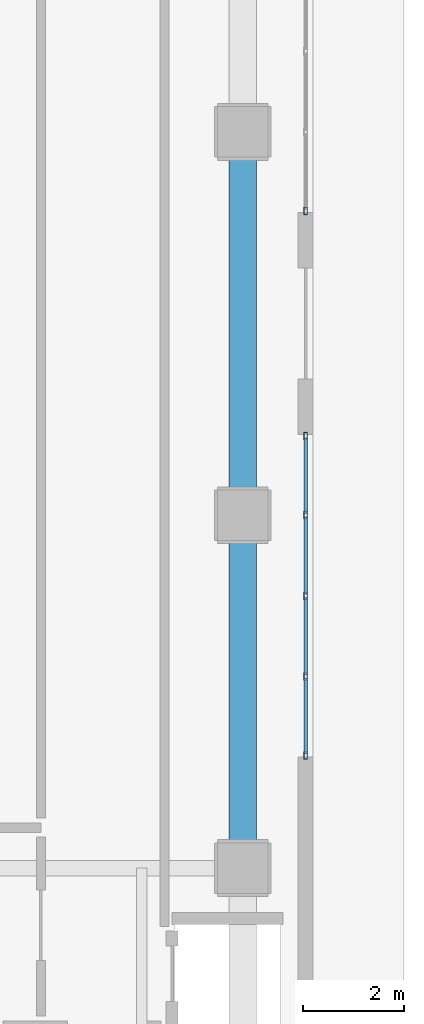
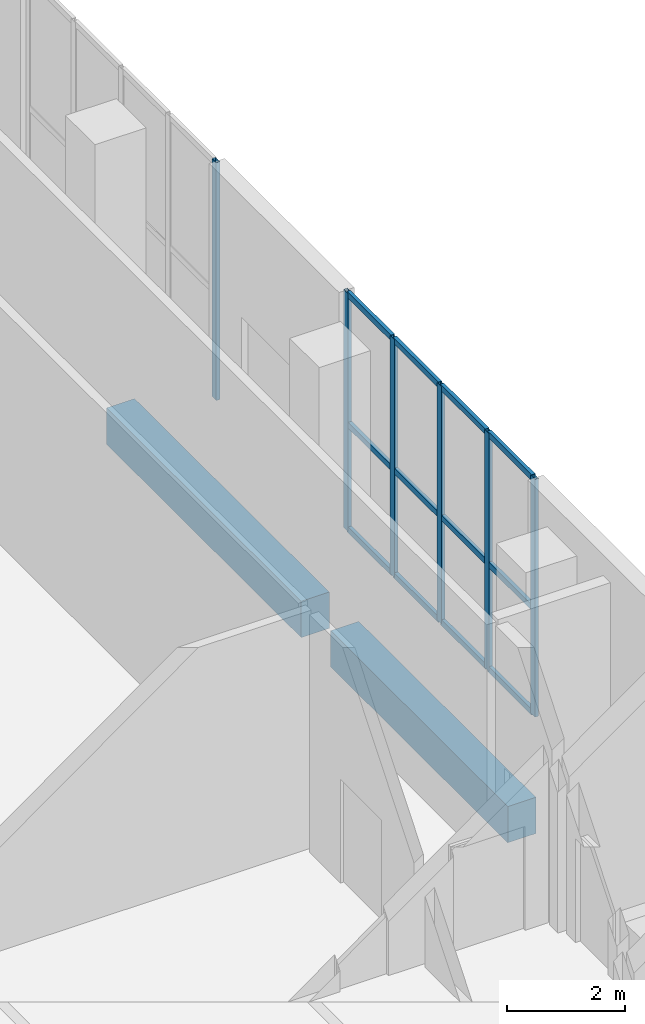
# One storey, part 14 of 30: 18 members, 2 beams, 2 elements without a shape of their own.
"""IFC4 building model written with IfcOpenShell, lengths in metres."""

from ifc_helpers import new_model, si_unit, direction, frame, origin, origin_2d, place, context, subcontext, project, spatial, rectangle, hollow_rectangle, extrude, material, layer, layer_set, material_profile, profile_set, type_object, element, aggregate, save


model = new_model("IFC4")

# Units and contexts
model_context = context("Model", 3, precision=1e-05, world=origin(), true_north=direction((0.0, 1.0)))
body_context = subcontext(model_context, "Body", "Model", "MODEL_VIEW")
ifc_project = project(units=[si_unit("LENGTHUNIT", "METRE"), si_unit("AREAUNIT", "SQUARE_METRE"), si_unit("VOLUMEUNIT", "CUBIC_METRE"), si_unit("PLANEANGLEUNIT", "RADIAN"), si_unit("MASSUNIT", "GRAM", prefix="KILO")], contexts=[model_context])

# Site, building, storey
site_placement = place(None, origin())
site = spatial("IfcSite", under=ifc_project, at=site_placement, CompositionType="ELEMENT")
building_placement = place(site_placement, origin())
building = spatial("IfcBuilding", under=site, at=building_placement, Name="Solanera Arch Residences", CompositionType="ELEMENT")
storey_placement = place(building_placement, origin())
storey = spatial("IfcBuildingStorey", under=building, at=storey_placement, Name="L00", CompositionType="ELEMENT", Elevation=0.0)

# Curtain wall, member
ifc_material_1 = material(Name="Anodised Aluminium Alloy 6063-T6", Category="aluminium")
ifc_layer = layer(ifc_material_1, 0.14990234375)
ifc_layer_set = layer_set([ifc_layer], Name="Anodised Aluminium Alloy 6063-T6")
curtain_wall_type = type_object("IfcCurtainWallType", Name="CW-2 Paseo Shopfront Glazing", PredefinedType="USERDEFINED", material=ifc_layer_set)
curtain_wall_1_placement = place(storey_placement, origin())
curtain_wall_1 = element("IfcCurtainWall", 1, at=curtain_wall_1_placement, inside=storey, type_object=curtain_wall_type, Name="L00 Sports Hall East Promenade Glazing 1", ObjectType="CURTAIN_WALL", PredefinedType="USERDEFINED")
ifc_material_2 = material(Name="Anodised Aluminium Alloy 6063-T6", Category="aluminium")
ifc_material_profile_1 = material_profile(ifc_material_2, hollow_rectangle(XDim=0.070068359375, YDim=0.14990234375, WallThickness=0.00390625, at=origin_2d()))
ifc_profile_set_1 = profile_set([ifc_material_profile_1], Name="Anodised Aluminium Alloy 6063-T6")
member_type_1 = type_object("IfcMemberType", Name="Curtain Wall Mullion ALU-MUL-70X150", PredefinedType="MULLION", material=ifc_profile_set_1)
member_1_placement = place(storey_placement, frame((83.050048828125, 32.8349609375, 0.0), z_axis=(0.0, 0.0, 1.0), x_axis=(1.0, 0.0, 0.0)))
member_1 = element("IfcMember", 2, at=member_1_placement, type_object=member_type_1, Name="CW-2 mullion 5", PredefinedType="MULLION", context=body_context, shape_type="SweptSolid", body=[
    extrude(hollow_rectangle(XDim=0.070068359375, YDim=0.14990234375, WallThickness=0.00390625, at=origin_2d()), origin(), (0.0, 0.0, 1.0), 4.919921875),
])
aggregate(curtain_wall_1, [member_1])

# Curtain wall, members
curtain_wall_2_placement = place(storey_placement, origin())
curtain_wall_2 = element("IfcCurtainWall", 3, at=curtain_wall_2_placement, inside=storey, type_object=curtain_wall_type, Name="L00 Sports Hall East Promenade Glazing 2", ObjectType="CURTAIN_WALL", PredefinedType="USERDEFINED")
member_2_placement = place(storey_placement, frame((83.050048828125, 28.364990234375, 0.0), z_axis=(0.0, 0.0, 1.0), x_axis=(1.0, 0.0, 0.0)))
member_2 = element("IfcMember", 4, at=member_2_placement, type_object=member_type_1, Name="CW-2 mullion 1", PredefinedType="MULLION", context=body_context, shape_type="SweptSolid", body=[
    extrude(hollow_rectangle(XDim=0.070068359375, YDim=0.14990234375, WallThickness=0.00390625, at=origin_2d()), origin(), (0.0, 0.0, 1.0), 4.919921875),
])
member_3_placement = place(storey_placement, frame((83.050048828125, 26.800048828125, 0.0), z_axis=(0.0, 0.0, 1.0), x_axis=(1.0, 0.0, 0.0)))
member_3 = element("IfcMember", 5, at=member_3_placement, type_object=member_type_1, Name="CW-2 mullion 2", PredefinedType="MULLION", context=body_context, shape_type="SweptSolid", body=[
    extrude(hollow_rectangle(XDim=0.070068359375, YDim=0.14990234375, WallThickness=0.00390625, at=origin_2d()), origin(), (0.0, 0.0, 1.0), 4.919921875),
])
member_4_placement = place(storey_placement, frame((83.050048828125, 25.199951171875, 0.0), z_axis=(0.0, 0.0, 1.0), x_axis=(1.0, 0.0, 0.0)))
member_4 = element("IfcMember", 6, at=member_4_placement, type_object=member_type_1, Name="CW-2 mullion 3", PredefinedType="MULLION", context=body_context, shape_type="SweptSolid", body=[
    extrude(hollow_rectangle(XDim=0.070068359375, YDim=0.14990234375, WallThickness=0.00390625, at=origin_2d()), origin(), (0.0, 0.0, 1.0), 4.919921875),
])
member_5_placement = place(storey_placement, frame((83.050048828125, 23.60009765625, 0.0), z_axis=(0.0, 0.0, 1.0), x_axis=(1.0, 0.0, 0.0)))
member_5 = element("IfcMember", 7, at=member_5_placement, type_object=member_type_1, Name="CW-2 mullion 4", PredefinedType="MULLION", context=body_context, shape_type="SweptSolid", body=[
    extrude(hollow_rectangle(XDim=0.070068359375, YDim=0.14990234375, WallThickness=0.00390625, at=origin_2d()), origin(), (0.0, 0.0, 1.0), 4.919921875),
])
member_6_placement = place(storey_placement, frame((83.050048828125, 22.034912109375, 0.0), z_axis=(0.0, 0.0, 1.0), x_axis=(1.0, 0.0, 0.0)))
member_6 = element("IfcMember", 8, at=member_6_placement, type_object=member_type_1, Name="CW-2 mullion 5", PredefinedType="MULLION", context=body_context, shape_type="SweptSolid", body=[
    extrude(hollow_rectangle(XDim=0.070068359375, YDim=0.14990234375, WallThickness=0.00390625, at=origin_2d()), origin(), (0.0, 0.0, 1.0), 4.919921875),
])
ifc_material_3 = material(Name="Anodised Aluminium Alloy 6063-T6", Category="aluminium")
ifc_material_profile_2 = material_profile(ifc_material_3, hollow_rectangle(XDim=0.070068359375, YDim=0.1201171875, WallThickness=0.00390625, at=origin_2d()))
ifc_profile_set_2 = profile_set([ifc_material_profile_2], Name="Anodised Aluminium Alloy 6063-T6")
member_type_2 = type_object("IfcMemberType", Name="Curtain Wall Transom ALU-TRN-70X120", PredefinedType="USERDEFINED", material=ifc_profile_set_2)
member_7_placement = place(storey_placement, frame((83.050048828125, 28.330078125, 0.034912109375), z_axis=(0.0, -1.0, 0.0), x_axis=(1.0, 0.0, 0.0)))
member_7 = element("IfcMember", 9, at=member_7_placement, type_object=member_type_2, Name="CW-2 transom 1.1", ObjectType="TRANSOM", PredefinedType="USERDEFINED", context=body_context, shape_type="SweptSolid", body=[
    extrude(hollow_rectangle(XDim=0.070068359375, YDim=0.1201171875, WallThickness=0.00390625, at=origin_2d()), origin(), (0.0, 0.0, 1.0), 1.4951171875),
])
member_8_placement = place(storey_placement, frame((83.050048828125, 28.330078125, 2.199951171875), z_axis=(0.0, -1.0, 0.0), x_axis=(1.0, 0.0, 0.0)))
member_8 = element("IfcMember", 10, at=member_8_placement, type_object=member_type_2, Name="CW-2 transom 1.2", ObjectType="TRANSOM", PredefinedType="USERDEFINED", context=body_context, shape_type="SweptSolid", body=[
    extrude(hollow_rectangle(XDim=0.070068359375, YDim=0.1201171875, WallThickness=0.00390625, at=origin_2d()), origin(), (0.0, 0.0, 1.0), 1.4951171875),
])
member_9_placement = place(storey_placement, frame((83.050048828125, 28.330078125, 4.885009765625), z_axis=(0.0, -1.0, 0.0), x_axis=(1.0, 0.0, 0.0)))
member_9 = element("IfcMember", 11, at=member_9_placement, type_object=member_type_2, Name="CW-2 transom 1.3", ObjectType="TRANSOM", PredefinedType="USERDEFINED", context=body_context, shape_type="SweptSolid", body=[
    extrude(hollow_rectangle(XDim=0.070068359375, YDim=0.1201171875, WallThickness=0.00390625, at=origin_2d()), origin(), (0.0, 0.0, 1.0), 1.4951171875),
])
member_10_placement = place(storey_placement, frame((83.050048828125, 26.764892578125, 0.034912109375), z_axis=(0.0, -1.0, 0.0), x_axis=(1.0, 0.0, 0.0)))
member_10 = element("IfcMember", 12, at=member_10_placement, type_object=member_type_2, Name="CW-2 transom 2.1", ObjectType="TRANSOM", PredefinedType="USERDEFINED", context=body_context, shape_type="SweptSolid", body=[
    extrude(hollow_rectangle(XDim=0.070068359375, YDim=0.1201171875, WallThickness=0.00390625, at=origin_2d()), origin(), (0.0, 0.0, 1.0), 1.52978515625),
])
member_11_placement = place(storey_placement, frame((83.050048828125, 26.764892578125, 2.199951171875), z_axis=(0.0, -1.0, 0.0), x_axis=(1.0, 0.0, 0.0)))
member_11 = element("IfcMember", 13, at=member_11_placement, type_object=member_type_2, Name="CW-2 transom 2.2", ObjectType="TRANSOM", PredefinedType="USERDEFINED", context=body_context, shape_type="SweptSolid", body=[
    extrude(hollow_rectangle(XDim=0.070068359375, YDim=0.1201171875, WallThickness=0.00390625, at=origin_2d()), origin(), (0.0, 0.0, 1.0), 1.52978515625),
])
member_12_placement = place(storey_placement, frame((83.050048828125, 26.764892578125, 4.885009765625), z_axis=(0.0, -1.0, 0.0), x_axis=(1.0, 0.0, 0.0)))
member_12 = element("IfcMember", 14, at=member_12_placement, type_object=member_type_2, Name="CW-2 transom 2.3", ObjectType="TRANSOM", PredefinedType="USERDEFINED", context=body_context, shape_type="SweptSolid", body=[
    extrude(hollow_rectangle(XDim=0.070068359375, YDim=0.1201171875, WallThickness=0.00390625, at=origin_2d()), origin(), (0.0, 0.0, 1.0), 1.52978515625),
])
member_13_placement = place(storey_placement, frame((83.050048828125, 25.1650390625, 0.034912109375), z_axis=(0.0, -1.0, 0.0), x_axis=(1.0, 0.0, 0.0)))
member_13 = element("IfcMember", 15, at=member_13_placement, type_object=member_type_2, Name="CW-2 transom 3.1", ObjectType="TRANSOM", PredefinedType="USERDEFINED", context=body_context, shape_type="SweptSolid", body=[
    extrude(hollow_rectangle(XDim=0.070068359375, YDim=0.1201171875, WallThickness=0.00390625, at=origin_2d()), origin(), (0.0, 0.0, 1.0), 1.530029296875),
])
member_14_placement = place(storey_placement, frame((83.050048828125, 25.1650390625, 2.199951171875), z_axis=(0.0, -1.0, 0.0), x_axis=(1.0, 0.0, 0.0)))
member_14 = element("IfcMember", 16, at=member_14_placement, type_object=member_type_2, Name="CW-2 transom 3.2", ObjectType="TRANSOM", PredefinedType="USERDEFINED", context=body_context, shape_type="SweptSolid", body=[
    extrude(hollow_rectangle(XDim=0.070068359375, YDim=0.1201171875, WallThickness=0.00390625, at=origin_2d()), origin(), (0.0, 0.0, 1.0), 1.530029296875),
])
member_15_placement = place(storey_placement, frame((83.050048828125, 25.1650390625, 4.885009765625), z_axis=(0.0, -1.0, 0.0), x_axis=(1.0, 0.0, 0.0)))
member_15 = element("IfcMember", 17, at=member_15_placement, type_object=member_type_2, Name="CW-2 transom 3.3", ObjectType="TRANSOM", PredefinedType="USERDEFINED", context=body_context, shape_type="SweptSolid", body=[
    extrude(hollow_rectangle(XDim=0.070068359375, YDim=0.1201171875, WallThickness=0.00390625, at=origin_2d()), origin(), (0.0, 0.0, 1.0), 1.530029296875),
])
member_16_placement = place(storey_placement, frame((83.050048828125, 23.56494140625, 0.034912109375), z_axis=(0.0, -1.0, 0.0), x_axis=(1.0, 0.0, 0.0)))
member_16 = element("IfcMember", 18, at=member_16_placement, type_object=member_type_2, Name="CW-2 transom 4.1", ObjectType="TRANSOM", PredefinedType="USERDEFINED", context=body_context, shape_type="SweptSolid", body=[
    extrude(hollow_rectangle(XDim=0.070068359375, YDim=0.1201171875, WallThickness=0.00390625, at=origin_2d()), origin(), (0.0, 0.0, 1.0), 1.494873046875),
])
member_17_placement = place(storey_placement, frame((83.050048828125, 23.56494140625, 2.199951171875), z_axis=(0.0, -1.0, 0.0), x_axis=(1.0, 0.0, 0.0)))
member_17 = element("IfcMember", 19, at=member_17_placement, type_object=member_type_2, Name="CW-2 transom 4.2", ObjectType="TRANSOM", PredefinedType="USERDEFINED", context=body_context, shape_type="SweptSolid", body=[
    extrude(hollow_rectangle(XDim=0.070068359375, YDim=0.1201171875, WallThickness=0.00390625, at=origin_2d()), origin(), (0.0, 0.0, 1.0), 1.494873046875),
])
member_18_placement = place(storey_placement, frame((83.050048828125, 23.56494140625, 4.885009765625), z_axis=(0.0, -1.0, 0.0), x_axis=(1.0, 0.0, 0.0)))
member_18 = element("IfcMember", 20, at=member_18_placement, type_object=member_type_2, Name="CW-2 transom 4.3", ObjectType="TRANSOM", PredefinedType="USERDEFINED", context=body_context, shape_type="SweptSolid", body=[
    extrude(hollow_rectangle(XDim=0.070068359375, YDim=0.1201171875, WallThickness=0.00390625, at=origin_2d()), origin(), (0.0, 0.0, 1.0), 1.494873046875),
])
aggregate(curtain_wall_2, [member_2, member_3, member_4, member_5, member_6, member_7, member_8, member_9, member_10, member_11, member_12, member_13, member_14, member_15, member_16, member_17, member_18])

# Beams
ifc_material_4 = material(Name="Concrete C40/50 (f'c = 45 MPa)", Category="concrete")
ifc_material_profile_3 = material_profile(ifc_material_4, rectangle(XDim=0.550048828125, YDim=0.75, at=origin_2d()))
ifc_profile_set_3 = profile_set([ifc_material_profile_3], Name="Concrete C40/50 (f'c = 45 MPa)")
beam_type = type_object("IfcBeamType", Name="Primary Beam RC-BM-550X750", PredefinedType="BEAM", material=ifc_profile_set_3)
beam_1_placement = place(storey_placement, frame((81.800048828125, 20.300048828125, -0.695068359375), z_axis=(0.0, 1.0, 0.0), x_axis=(-1.0, 0.0, 0.0)))
element("IfcBeam", 21, at=beam_1_placement, inside=storey, type_object=beam_type, Name="BM-L00-HE-2", PredefinedType="BEAM", context=body_context, shape_type="SweptSolid", body=[
    extrude(rectangle(XDim=0.550048828125, YDim=0.75, at=origin_2d()), origin(), (0.0, 0.0, 1.0), 6.0),
])
beam_2_placement = place(storey_placement, frame((81.800048828125, 27.300048828125, -0.695068359375), z_axis=(0.0, 1.0, 0.0), x_axis=(-1.0, 0.0, 0.0)))
element("IfcBeam", 22, at=beam_2_placement, inside=storey, type_object=beam_type, Name="BM-L00-HE-3", PredefinedType="BEAM", context=body_context, shape_type="SweptSolid", body=[
    extrude(rectangle(XDim=0.550048828125, YDim=0.75, at=origin_2d()), origin(), (0.0, 0.0, 1.0), 6.599853515625),
])

save(model, "model.ifc")
